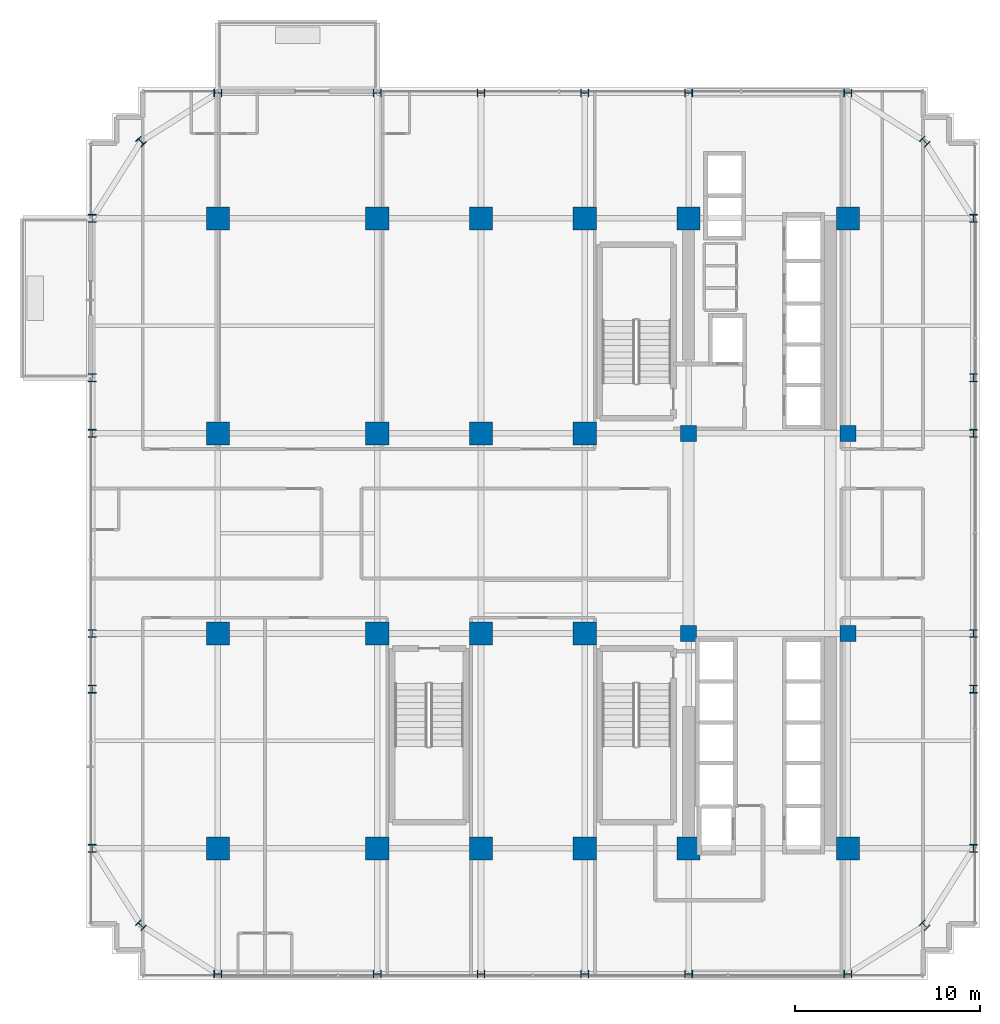
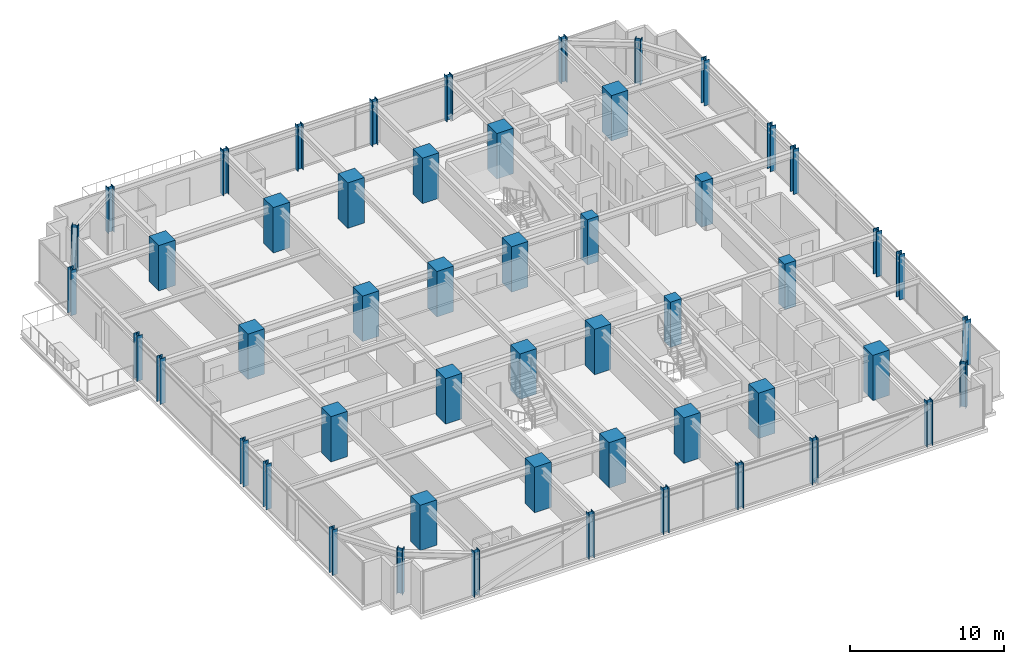
# One storey, part 1 of 35: 52 columns.
"""IFC4 building model written with IfcOpenShell, lengths in metres."""

from ifc_helpers import new_model, si_unit, direction, frame, origin, origin_2d, place, context, subcontext, project, spatial, rectangle, i_section, extrude, source, transform, mapped, material, material_profile, profile_set, type_object, element, save


model = new_model("IFC4")

# Units and contexts
model_context = context("Model", 3, precision=1e-05, world=origin(), true_north=direction((0.0, 1.0)))
body_context = subcontext(model_context, "Body", "Model", "MODEL_VIEW")
ifc_project = project(units=[si_unit("LENGTHUNIT", "METRE"), si_unit("AREAUNIT", "SQUARE_METRE"), si_unit("VOLUMEUNIT", "CUBIC_METRE"), si_unit("PLANEANGLEUNIT", "RADIAN"), si_unit("MASSUNIT", "GRAM", prefix="KILO")], contexts=[model_context])

# Site, building, storey
site_placement = place(None, origin())
site = spatial("IfcSite", under=ifc_project, at=site_placement, CompositionType="ELEMENT")
building_placement = place(site_placement, origin())
building = spatial("IfcBuilding", under=site, at=building_placement, Name="Nahalor Promenade Grand Hotel", CompositionType="ELEMENT")
storey_placement = place(building_placement, frame((0.0, 0.0, 121.14990234375)))
storey = spatial("IfcBuildingStorey", under=building, at=storey_placement, Name="L30", CompositionType="ELEMENT", Elevation=121.14990234375)

# Columns
ifc_material_1 = material(Name="Concrete B-70 (C60/75)", Category="concrete")
ifc_material_profile_1 = material_profile(ifc_material_1, rectangle(XDim=0.85, YDim=0.85, at=origin_2d()), Name="RC 850x850")
ifc_profile_set_1 = profile_set([ifc_material_profile_1], Name="Concrete B-70 (C60/75)")
column_type_1 = type_object("IfcColumnType", Name="Col-Pilaster-850", PredefinedType="PILASTER", material=ifc_profile_set_1)
shared_shape_1 = source(origin(), body_context, "Body", "SweptSolid", [
    extrude(rectangle(XDim=0.85, YDim=0.85, at=origin_2d()), origin(), (0.0, 0.0, 1.0), 3.60498046875),
])
for number, where, z_axis, x_axis, name in (
    (1, (8.39990234375, -5.39990234375, 0.0), (0.0, 0.0, 1.0), (1.0, 0.0, 0.0), "COL-L30-I41"),
    (2, (8.39990234375, 5.39990234375, 0.0), (0.0, 0.0, 1.0), (1.0, 0.0, 0.0), "COL-L30-I42"),
    (3, (17.0, -5.39990234375, 0.0), (0.0, 0.0, 1.0), (1.0, 0.0, 0.0), "COL-L30-I51"),
    (4, (17.0, 5.39990234375, 0.0), (0.0, 0.0, 1.0), (1.0, 0.0, 0.0), "COL-L30-I52"),
):
    element("IfcColumn", number, at=place(storey_placement, frame(where, z_axis=z_axis, x_axis=x_axis)), inside=storey, type_object=column_type_1, Name=name, PredefinedType="PILASTER", context=body_context, shape_type="MappedRepresentation", body=[
        mapped(shared_shape_1, transform((0.0, 0.0, 0.0), scale=1.0)),
    ])
ifc_material_2 = material(Name="Concrete B-60 (C50/60)", Category="concrete")
ifc_material_profile_2 = material_profile(ifc_material_2, rectangle(XDim=1.25, YDim=1.25, at=origin_2d()), Name="RC 1250x1250")
ifc_profile_set_2 = profile_set([ifc_material_profile_2], Name="Concrete B-60 (C50/60)")
column_type_2 = type_object("IfcColumnType", Name="Col-RC-1250", PredefinedType="COLUMN", material=ifc_profile_set_2)
shared_shape_2 = source(origin(), body_context, "Body", "SweptSolid", [
    extrude(rectangle(XDim=1.25, YDim=1.25, at=origin_2d()), origin(), (0.0, 0.0, 1.0), 3.60498046875),
])
for number, where, z_axis, x_axis, name in (
    (5, (-17.0, -17.0, 0.0), (0.0, 0.0, 1.0), (1.0, 0.0, 0.0), "COL-L30-I00"),
    (6, (-17.0, -5.39990234375, 0.0), (0.0, 0.0, 1.0), (1.0, 0.0, 0.0), "COL-L30-I01"),
    (7, (-17.0, 5.39990234375, 0.0), (0.0, 0.0, 1.0), (1.0, 0.0, 0.0), "COL-L30-I02"),
    (8, (-17.0, 17.0, 0.0), (0.0, 0.0, 1.0), (1.0, 0.0, 0.0), "COL-L30-I03"),
    (9, (-8.39990234375, -17.0, 0.0), (0.0, 0.0, 1.0), (1.0, 0.0, 0.0), "COL-L30-I10"),
    (10, (-8.39990234375, -5.39990234375, 0.0), (0.0, 0.0, 1.0), (1.0, 0.0, 0.0), "COL-L30-I11"),
    (11, (-8.39990234375, 5.39990234375, 0.0), (0.0, 0.0, 1.0), (1.0, 0.0, 0.0), "COL-L30-I12"),
    (12, (-8.39990234375, 17.0, 0.0), (0.0, 0.0, 1.0), (1.0, 0.0, 0.0), "COL-L30-I13"),
    (13, (-2.800048828125, -17.0, 0.0), (0.0, 0.0, 1.0), (1.0, 0.0, 0.0), "COL-L30-I20"),
    (14, (-2.800048828125, -5.39990234375, 0.0), (0.0, 0.0, 1.0), (1.0, 0.0, 0.0), "COL-L30-I21"),
    (15, (-2.800048828125, 5.39990234375, 0.0), (0.0, 0.0, 1.0), (1.0, 0.0, 0.0), "COL-L30-I22"),
    (16, (-2.800048828125, 17.0, 0.0), (0.0, 0.0, 1.0), (1.0, 0.0, 0.0), "COL-L30-I23"),
    (17, (2.800048828125, -17.0, 0.0), (0.0, 0.0, 1.0), (1.0, 0.0, 0.0), "COL-L30-I30"),
    (18, (2.800048828125, -5.39990234375, 0.0), (0.0, 0.0, 1.0), (1.0, 0.0, 0.0), "COL-L30-I31"),
    (19, (2.800048828125, 5.39990234375, 0.0), (0.0, 0.0, 1.0), (1.0, 0.0, 0.0), "COL-L30-I32"),
    (20, (2.800048828125, 17.0, 0.0), (0.0, 0.0, 1.0), (1.0, 0.0, 0.0), "COL-L30-I33"),
    (21, (8.39990234375, -17.0, 0.0), (0.0, 0.0, 1.0), (1.0, 0.0, 0.0), "COL-L30-I40"),
    (22, (8.39990234375, 17.0, 0.0), (0.0, 0.0, 1.0), (1.0, 0.0, 0.0), "COL-L30-I43"),
    (23, (17.0, -17.0, 0.0), (0.0, 0.0, 1.0), (1.0, 0.0, 0.0), "COL-L30-I50"),
    (24, (17.0, 17.0, 0.0), (0.0, 0.0, 1.0), (1.0, 0.0, 0.0), "COL-L30-I53"),
):
    element("IfcColumn", number, at=place(storey_placement, frame(where, z_axis=z_axis, x_axis=x_axis)), inside=storey, type_object=column_type_2, Name=name, PredefinedType="COLUMN", context=body_context, shape_type="MappedRepresentation", body=[
        mapped(shared_shape_2, transform((0.0, 0.0, 0.0), scale=1.0)),
    ])
ifc_material_3 = material(Name="Steel S355J2", Category="steel")
ifc_material_profile_3 = material_profile(ifc_material_3, i_section(OverallWidth=0.409, OverallDepth=0.43, WebThickness=0.0208, FlangeThickness=0.0335, at=origin_2d()), Name="HD 400x421")
ifc_profile_set_3 = profile_set([ifc_material_profile_3], Name="Steel S355J2")
column_type_3 = type_object("IfcColumnType", Name="Col-Steel-HD421", PredefinedType="COLUMN", material=ifc_profile_set_3)
shared_shape_3 = source(origin(), body_context, "Body", "SweptSolid", [
    extrude(i_section(OverallWidth=0.409, OverallDepth=0.43, WebThickness=0.0208, FlangeThickness=0.0335, at=origin_2d()), origin(), (0.0, 0.0, 1.0), 3.60498046875),
])
for number, where, z_axis, x_axis, name in (
    (25, (-23.780029296875, -17.0, 0.0), (0.0, 0.0, 1.0), (1.0, 0.0, 0.0), "COL-L30-PW-W0"),
    (26, (23.780029296875, -17.0, 0.0), (0.0, 0.0, 1.0), (1.0, 0.0, 0.0), "COL-L30-PW-E0"),
    (27, (-23.780029296875, -8.39990234375, 0.0), (0.0, 0.0, 1.0), (1.0, 0.0, 0.0), "COL-L30-PW-W1"),
    (28, (23.780029296875, -8.39990234375, 0.0), (0.0, 0.0, 1.0), (1.0, 0.0, 0.0), "COL-L30-PW-E1"),
    (29, (-23.780029296875, -5.39990234375, 0.0), (0.0, 0.0, 1.0), (1.0, 0.0, 0.0), "COL-L30-PW-W2"),
    (30, (23.780029296875, -5.39990234375, 0.0), (0.0, 0.0, 1.0), (1.0, 0.0, 0.0), "COL-L30-PW-E2"),
    (31, (-23.780029296875, 5.39990234375, 0.0), (0.0, 0.0, 1.0), (1.0, 0.0, 0.0), "COL-L30-PW-W3"),
    (32, (23.780029296875, 5.39990234375, 0.0), (0.0, 0.0, 1.0), (1.0, 0.0, 0.0), "COL-L30-PW-E3"),
    (33, (-23.780029296875, 8.39990234375, 0.0), (0.0, 0.0, 1.0), (1.0, 0.0, 0.0), "COL-L30-PW-W4"),
    (34, (23.780029296875, 8.39990234375, 0.0), (0.0, 0.0, 1.0), (1.0, 0.0, 0.0), "COL-L30-PW-E4"),
    (35, (-23.780029296875, 17.0, 0.0), (0.0, 0.0, 1.0), (1.0, 0.0, 0.0), "COL-L30-PW-W5"),
    (36, (23.780029296875, 17.0, 0.0), (0.0, 0.0, 1.0), (1.0, 0.0, 0.0), "COL-L30-PW-E5"),
    (37, (-17.0, -23.780029296875, 0.0), (0.0, 0.0, 1.0), (0.0, 1.0, 0.0), "COL-L30-PN-S0"),
    (38, (-17.0, 23.780029296875, 0.0), (0.0, 0.0, 1.0), (0.0, 1.0, 0.0), "COL-L30-PN-N0"),
    (39, (-8.39990234375, -23.780029296875, 0.0), (0.0, 0.0, 1.0), (0.0, 1.0, 0.0), "COL-L30-PN-S1"),
    (40, (-8.39990234375, 23.780029296875, 0.0), (0.0, 0.0, 1.0), (0.0, 1.0, 0.0), "COL-L30-PN-N1"),
    (41, (-2.800048828125, -23.780029296875, 0.0), (0.0, 0.0, 1.0), (0.0, 1.0, 0.0), "COL-L30-PN-S2"),
    (42, (-2.800048828125, 23.780029296875, 0.0), (0.0, 0.0, 1.0), (0.0, 1.0, 0.0), "COL-L30-PN-N2"),
    (43, (2.800048828125, -23.780029296875, 0.0), (0.0, 0.0, 1.0), (0.0, 1.0, 0.0), "COL-L30-PN-S3"),
    (44, (2.800048828125, 23.780029296875, 0.0), (0.0, 0.0, 1.0), (0.0, 1.0, 0.0), "COL-L30-PN-N3"),
    (45, (8.39990234375, -23.780029296875, 0.0), (0.0, 0.0, 1.0), (0.0, 1.0, 0.0), "COL-L30-PN-S4"),
    (46, (8.39990234375, 23.780029296875, 0.0), (0.0, 0.0, 1.0), (0.0, 1.0, 0.0), "COL-L30-PN-N4"),
    (47, (17.0, -23.780029296875, 0.0), (0.0, 0.0, 1.0), (0.0, 1.0, 0.0), "COL-L30-PN-S5"),
    (48, (17.0, 23.780029296875, 0.0), (0.0, 0.0, 1.0), (0.0, 1.0, 0.0), "COL-L30-PN-N5"),
    (49, (-21.14990234375, -21.14990234375, 0.0), (0.0, 0.0, 1.0), (0.707106781187, 0.707106781187, 0.0), "COL-L30-CRN-SW"),
    (50, (-21.14990234375, 21.14990234375, 0.0), (0.0, 0.0, 1.0), (0.707106781187, 0.707106781187, 0.0), "COL-L30-CRN-NW"),
    (51, (21.14990234375, -21.14990234375, 0.0), (0.0, 0.0, 1.0), (0.707106781187, 0.707106781187, 0.0), "COL-L30-CRN-SE"),
    (52, (21.14990234375, 21.14990234375, 0.0), (0.0, 0.0, 1.0), (0.707106781187, 0.707106781187, 0.0), "COL-L30-CRN-NE"),
):
    element("IfcColumn", number, at=place(storey_placement, frame(where, z_axis=z_axis, x_axis=x_axis)), inside=storey, type_object=column_type_3, Name=name, PredefinedType="COLUMN", context=body_context, shape_type="MappedRepresentation", body=[
        mapped(shared_shape_3, transform((0.0, 0.0, 0.0), scale=1.0)),
    ])

save(model, "model.ifc")
